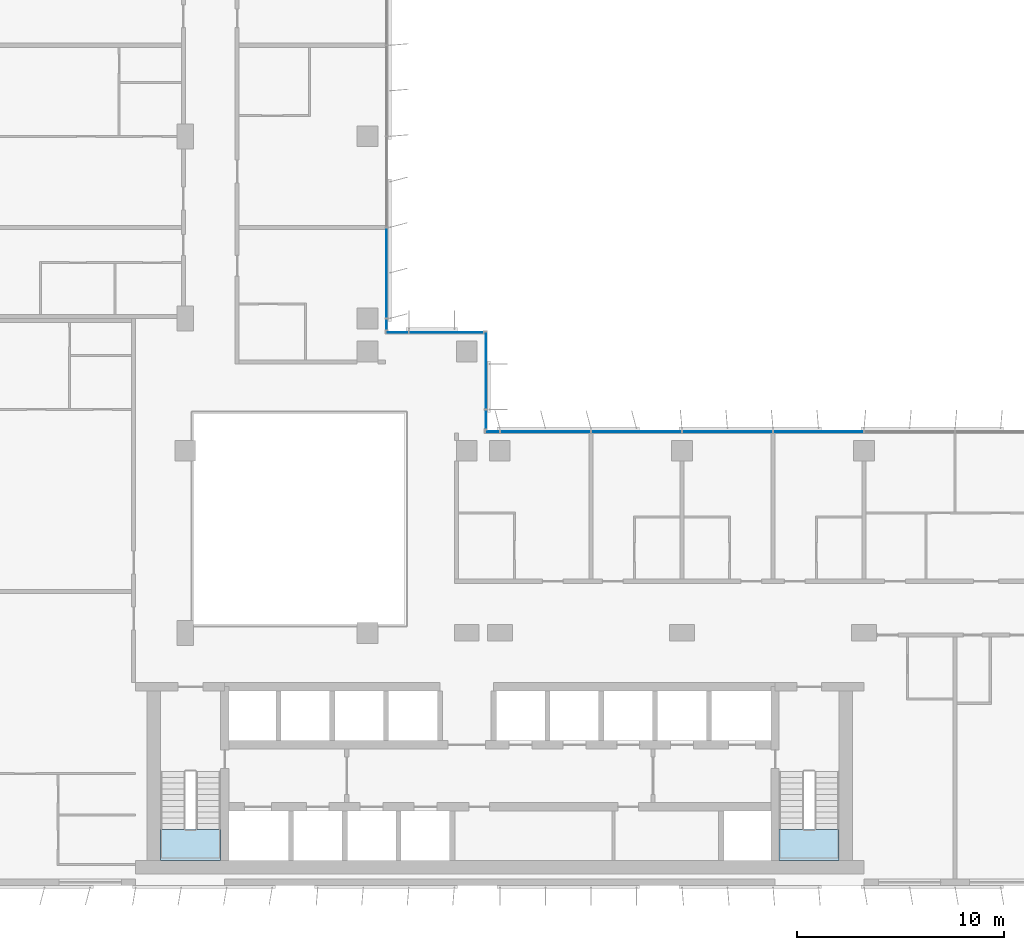
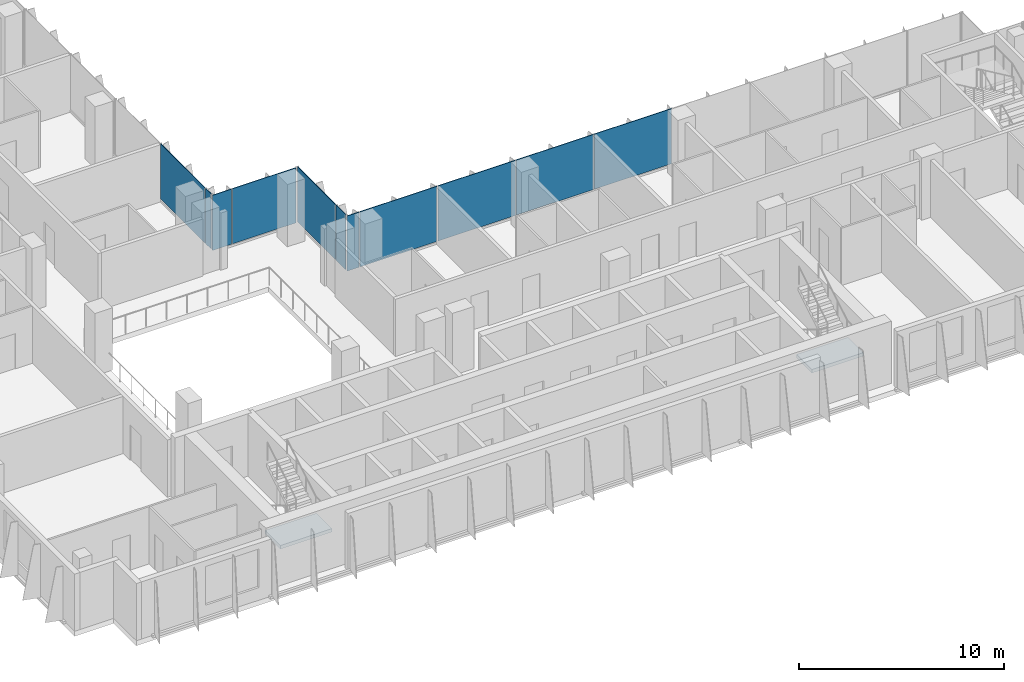
# One storey, part 10 of 21: 11 plates, 2 slabs, 6 elements without a shape of their own.
"""IFC4 building model written with IfcOpenShell, lengths in metres."""

from ifc_helpers import new_model, si_unit, direction, frame, origin, origin_2d, place, context, subcontext, project, spatial, polyline, rectangle, outline, extrude, source, transform, mapped, material, layer, layer_set, type_object, element, aggregate, save


model = new_model("IFC4")

# Units and contexts
model_context = context("Model", 3, precision=1e-05, world=origin(), true_north=direction((0.0, 1.0)))
body_context = subcontext(model_context, "Body", "Model", "MODEL_VIEW")
ifc_project = project(units=[si_unit("LENGTHUNIT", "METRE"), si_unit("AREAUNIT", "SQUARE_METRE"), si_unit("VOLUMEUNIT", "CUBIC_METRE"), si_unit("PLANEANGLEUNIT", "RADIAN"), si_unit("MASSUNIT", "GRAM", prefix="KILO")], contexts=[model_context])

# Site, building, storey
site_placement = place(None, origin())
site = spatial("IfcSite", under=ifc_project, at=site_placement, CompositionType="ELEMENT")
building_placement = place(site_placement, origin())
building = spatial("IfcBuilding", under=site, at=building_placement, Name="Kemantara Hotel Tower", CompositionType="ELEMENT")
storey_placement = place(building_placement, frame((0.0, 0.0, 208.0)))
storey = spatial("IfcBuildingStorey", under=building, at=storey_placement, Name="L51", CompositionType="ELEMENT", Elevation=208.0)

# Stair, slab
ifc_material_1 = material(Name="Concrete fc 40 MPa", Category="concrete")
stair_type = type_object("IfcStairType", Name="Stair 1200 wide 22 risers of 168 x 280 mm", PredefinedType="HALF_TURN_STAIR", material=ifc_material_1)
stair_1_placement = place(storey_placement, origin())
stair_1 = element("IfcStair", 1, at=stair_1_placement, inside=storey, type_object=stair_type, Name="L51 Exit stair ST1", PredefinedType="HALF_TURN_STAIR")
ifc_layer_1 = layer(ifc_material_1, 0.199951171875)
ifc_layer_set_1 = layer_set([ifc_layer_1], Name="Concrete fc 40 MPa")
slab_type = type_object("IfcSlabType", Name="Stair landing 200 mm", PredefinedType="LANDING", material=ifc_layer_set_1)
slab_1_placement = place(storey_placement, frame((0.0, 0.0, 1.64990234375)))
slab_1 = element("IfcSlab", 2, at=slab_1_placement, type_object=slab_type, Name="ST1 landing 1", PredefinedType="LANDING", context=body_context, shape_type="SweptSolid", body=[
    extrude(outline(polyline([(11.0, 2.699951171875), (11.0, 1.199951171875), (13.89990234375, 1.199951171875), (13.89990234375, 2.699951171875), (11.0, 2.699951171875)])), origin(), (0.0, 0.0, 1.0), 0.2001953125),
])
aggregate(stair_1, [slab_1])

stair_2_placement = place(storey_placement, origin())
stair_2 = element("IfcStair", 3, at=stair_2_placement, inside=storey, type_object=stair_type, Name="L51 Exit stair ST2", PredefinedType="HALF_TURN_STAIR")
slab_2_placement = place(storey_placement, frame((0.0, 0.0, 1.64990234375)))
slab_2 = element("IfcSlab", 4, at=slab_2_placement, type_object=slab_type, Name="ST2 landing 1", PredefinedType="LANDING", context=body_context, shape_type="SweptSolid", body=[
    extrude(outline(polyline([(40.89990234375, 2.699951171875), (40.89990234375, 1.199951171875), (43.800048828125, 1.199951171875), (43.800048828125, 2.699951171875), (40.89990234375, 2.699951171875)])), origin(), (0.0, 0.0, 1.0), 0.2001953125),
])
aggregate(stair_2, [slab_2])

# Curtain wall, plates
ifc_material_2 = material(Name="Low-E tinted double insulated glass 36 mm", Category="glass")
curtain_wall_type = type_object("IfcCurtainWallType", Name="TOWER CURTAIN WALL, FRONT FACES", PredefinedType="USERDEFINED", material=ifc_material_2)
curtain_wall_1_placement = place(storey_placement, origin())
curtain_wall_1 = element("IfcCurtainWall", 5, at=curtain_wall_1_placement, inside=storey, type_object=curtain_wall_type, Name="CW4 L51 T3-R14-1", ObjectType="TOWER CURTAIN WALL, FRONT FACES", PredefinedType="USERDEFINED")
ifc_layer_2 = layer(ifc_material_2, 0.035888671875)
ifc_layer_set_2 = layer_set([ifc_layer_2], Name="Low-E tinted double insulated glass 36 mm")
plate_type = type_object("IfcPlateType", Name="TOWER CURTAIN WALL, FRONT FACES PANEL", PredefinedType="CURTAIN_PANEL", material=ifc_layer_set_2)
shared_shape_1 = source(origin(), body_context, "Body", "SweptSolid", [
    extrude(rectangle(XDim=4.340087890625, YDim=0.035888671875, at=origin_2d()), origin(), (0.0, 0.0, 1.0), 3.280029296875),
])
plate_1_placement = place(storey_placement, frame((42.800048828125, 21.925048828125, 0.1201171875), z_axis=(0.0, 0.0, 1.0), x_axis=(-1.0, 0.0, 0.0)))
plate_1 = element("IfcPlate", 6, at=plate_1_placement, type_object=plate_type, Name="CW4 glass panel T3-R14-1.5", PredefinedType="CURTAIN_PANEL", context=body_context, shape_type="MappedRepresentation", body=[
    mapped(shared_shape_1, transform((0.0, 0.0, 0.0))),
])
plate_2_placement = place(storey_placement, frame((38.39990234375, 21.925048828125, 0.1201171875), z_axis=(0.0, 0.0, 1.0), x_axis=(-1.0, 0.0, 0.0)))
plate_2 = element("IfcPlate", 7, at=plate_2_placement, type_object=plate_type, Name="CW4 glass panel T3-R14-1.6", PredefinedType="CURTAIN_PANEL", context=body_context, shape_type="MappedRepresentation", body=[
    mapped(shared_shape_1, transform((0.0, 0.0, 0.0))),
])
plate_3_placement = place(storey_placement, frame((34.0, 21.925048828125, 0.1201171875), z_axis=(0.0, 0.0, 1.0), x_axis=(-1.0, 0.0, 0.0)))
plate_3 = element("IfcPlate", 8, at=plate_3_placement, type_object=plate_type, Name="CW4 glass panel T3-R14-1.7", PredefinedType="CURTAIN_PANEL", context=body_context, shape_type="MappedRepresentation", body=[
    mapped(shared_shape_1, transform((0.0, 0.0, 0.0))),
])
plate_4_placement = place(storey_placement, frame((29.60009765625, 21.925048828125, 0.1201171875), z_axis=(0.0, 0.0, 1.0), x_axis=(-1.0, 0.0, 0.0)))
plate_4 = element("IfcPlate", 9, at=plate_4_placement, type_object=plate_type, Name="CW4 glass panel T3-R14-1.8", PredefinedType="CURTAIN_PANEL", context=body_context, shape_type="MappedRepresentation", body=[
    mapped(shared_shape_1, transform((0.0, 0.0, 0.0))),
])

# Curtain wall, plate
curtain_wall_2_placement = place(storey_placement, origin())
curtain_wall_2 = element("IfcCurtainWall", 10, at=curtain_wall_2_placement, inside=storey, type_object=curtain_wall_type, Name="CW4 L51 T3-R17-1", ObjectType="TOWER CURTAIN WALL, FRONT FACES", PredefinedType="USERDEFINED")
plate_5_placement = place(storey_placement, frame((21.925048828125, 29.60009765625, 0.1201171875), z_axis=(0.0, 0.0, 1.0), x_axis=(0.0, 1.0, 0.0)))
plate_5 = element("IfcPlate", 11, at=plate_5_placement, type_object=plate_type, Name="CW4 glass panel T3-R17-1.2", PredefinedType="CURTAIN_PANEL", context=body_context, shape_type="MappedRepresentation", body=[
    mapped(shared_shape_1, transform((0.0, 0.0, 0.0))),
])

# Plate
shared_shape_2 = source(origin(), body_context, "Body", "SweptSolid", [
    extrude(rectangle(XDim=0.659912109375, YDim=0.035888671875, at=origin_2d()), origin(), (0.0, 0.0, 1.0), 3.280029296875),
])
plate_6_placement = place(storey_placement, frame((27.0400390625, 21.925048828125, 0.1201171875), z_axis=(0.0, 0.0, 1.0), x_axis=(-1.0, 0.0, 0.0)))
plate_6 = element("IfcPlate", 12, at=plate_6_placement, type_object=plate_type, Name="CW4 glass panel T3-R14-1.9", PredefinedType="CURTAIN_PANEL", context=body_context, shape_type="MappedRepresentation", body=[
    mapped(shared_shape_2, transform((0.0, 0.0, 0.0))),
])

aggregate(curtain_wall_1, [plate_1, plate_2, plate_3, plate_4, plate_6])

shared_shape_3 = source(origin(), body_context, "Body", "SweptSolid", [
    extrude(rectangle(XDim=0.510009765625, YDim=0.035888671875, at=origin_2d()), origin(), (0.0, 0.0, 1.0), 3.280029296875),
])
plate_7_placement = place(storey_placement, frame((21.925048828125, 27.114990234375, 0.1201171875), z_axis=(0.0, 0.0, 1.0), x_axis=(0.0, 1.0, 0.0)))
plate_7 = element("IfcPlate", 13, at=plate_7_placement, type_object=plate_type, Name="CW4 glass panel T3-R17-1.1", PredefinedType="CURTAIN_PANEL", context=body_context, shape_type="MappedRepresentation", body=[
    mapped(shared_shape_3, transform((0.0, 0.0, 0.0))),
])

aggregate(curtain_wall_2, [plate_7, plate_5])

# Curtain wall, plates
curtain_wall_3_placement = place(storey_placement, origin())
curtain_wall_3 = element("IfcCurtainWall", 14, at=curtain_wall_3_placement, inside=storey, type_object=curtain_wall_type, Name="CW4 L51 T3-R15-1", ObjectType="TOWER CURTAIN WALL, FRONT FACES", PredefinedType="USERDEFINED")
shared_shape_4 = source(origin(), body_context, "Body", "SweptSolid", [
    extrude(rectangle(XDim=0.909912109375, YDim=0.035888671875, at=origin_2d()), origin(), (0.0, 0.0, 1.0), 3.280029296875),
])
plate_8_placement = place(storey_placement, frame((26.72509765625, 22.514892578125, 0.1201171875), z_axis=(0.0, 0.0, 1.0), x_axis=(0.0, 1.0, 0.0)))
plate_8 = element("IfcPlate", 15, at=plate_8_placement, type_object=plate_type, Name="CW4 glass panel T3-R15-1.1", PredefinedType="CURTAIN_PANEL", context=body_context, shape_type="MappedRepresentation", body=[
    mapped(shared_shape_4, transform((0.0, 0.0, 0.0))),
])
shared_shape_5 = source(origin(), body_context, "Body", "SweptSolid", [
    extrude(rectangle(XDim=3.7099609375, YDim=0.035888671875, at=origin_2d()), origin(), (0.0, 0.0, 1.0), 3.280029296875),
])
plate_9_placement = place(storey_placement, frame((26.72509765625, 24.885009765625, 0.1201171875), z_axis=(0.0, 0.0, 1.0), x_axis=(0.0, 1.0, 0.0)))
plate_9 = element("IfcPlate", 16, at=plate_9_placement, type_object=plate_type, Name="CW4 glass panel T3-R15-1.2", PredefinedType="CURTAIN_PANEL", context=body_context, shape_type="MappedRepresentation", body=[
    mapped(shared_shape_5, transform((0.0, 0.0, 0.0))),
])
aggregate(curtain_wall_3, [plate_8, plate_9])

curtain_wall_4_placement = place(storey_placement, origin())
curtain_wall_4 = element("IfcCurtainWall", 17, at=curtain_wall_4_placement, inside=storey, type_object=curtain_wall_type, Name="CW4 L51 T3-R16-1", ObjectType="TOWER CURTAIN WALL, FRONT FACES", PredefinedType="USERDEFINED")
shared_shape_6 = source(origin(), body_context, "Body", "SweptSolid", [
    extrude(rectangle(XDim=3.56005859375, YDim=0.035888671875, at=origin_2d()), origin(), (0.0, 0.0, 1.0), 3.280029296875),
])
plate_10_placement = place(storey_placement, frame((24.81005859375, 26.72509765625, 0.1201171875), z_axis=(0.0, 0.0, 1.0), x_axis=(-1.0, 0.0, 0.0)))
plate_10 = element("IfcPlate", 18, at=plate_10_placement, type_object=plate_type, Name="CW4 glass panel T3-R16-1.1", PredefinedType="CURTAIN_PANEL", context=body_context, shape_type="MappedRepresentation", body=[
    mapped(shared_shape_6, transform((0.0, 0.0, 0.0))),
])
shared_shape_7 = source(origin(), body_context, "Body", "SweptSolid", [
    extrude(rectangle(XDim=1.06005859375, YDim=0.035888671875, at=origin_2d()), origin(), (0.0, 0.0, 1.0), 3.280029296875),
])
plate_11_placement = place(storey_placement, frame((22.43994140625, 26.72509765625, 0.1201171875), z_axis=(0.0, 0.0, 1.0), x_axis=(-1.0, 0.0, 0.0)))
plate_11 = element("IfcPlate", 19, at=plate_11_placement, type_object=plate_type, Name="CW4 glass panel T3-R16-1.2", PredefinedType="CURTAIN_PANEL", context=body_context, shape_type="MappedRepresentation", body=[
    mapped(shared_shape_7, transform((0.0, 0.0, 0.0))),
])
aggregate(curtain_wall_4, [plate_10, plate_11])

save(model, "model.ifc")
